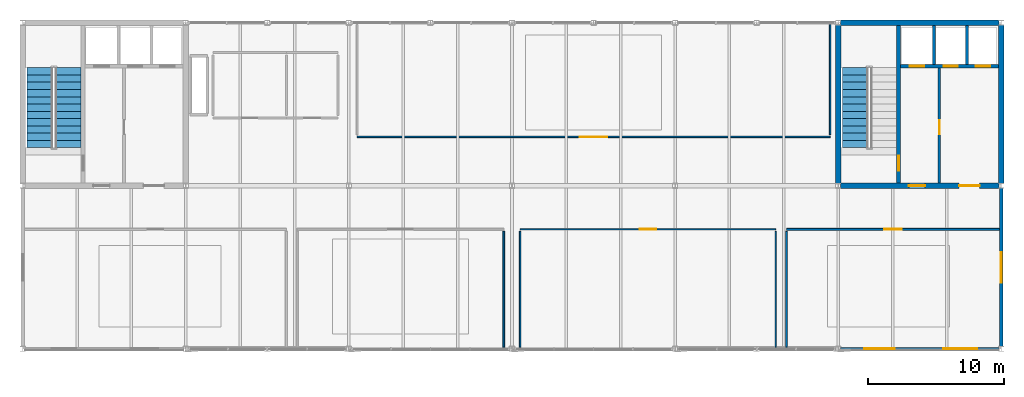
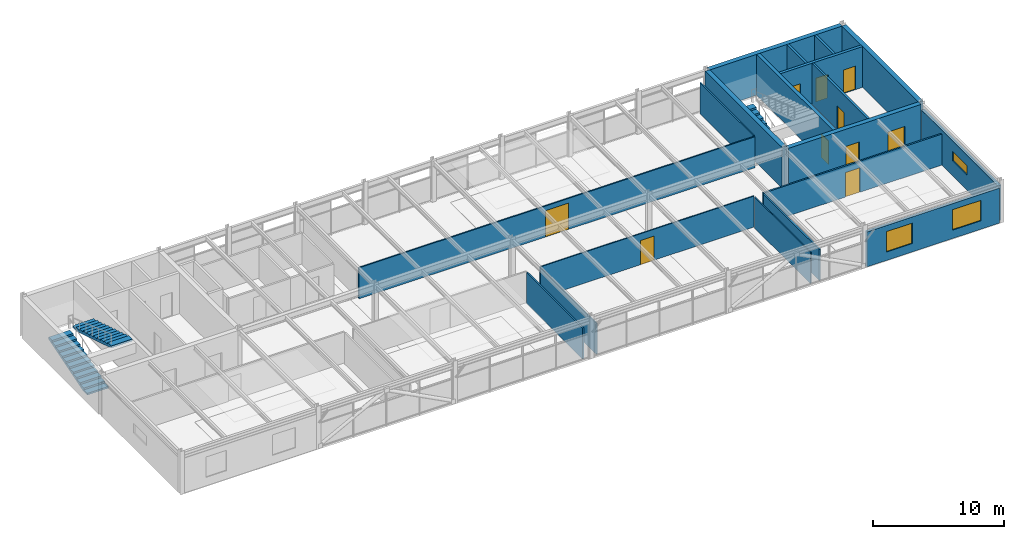
# One storey, part 20 of 23: 19 walls, 10 doors, 3 stair flights, 3 windows, 13 openings, 2 elements without a shape of their own.
"""IFC4 building model written with IfcOpenShell, lengths in metres."""

import ifcopenshell
import ifcopenshell.guid

model = None  # the IFC model being written
_history = None  # IfcOwnerHistory: only IFC2X3 demands one
_inside = {}  # id of a spatial element -> (the spatial element, [elements in it])
_under = {}  # id of a project, library or spatial element -> (it, [spatial elements below it])
_declared = {}  # id of a project -> (the project, [libraries it declares])
_typed = {}  # id of a type object -> (the type object, [elements of that type])
_made_of = {}  # id of a material, layer set ... -> (it, [elements and type objects made of it])


def new_model(schema):
    """Start an empty IFC model of exactly this schema.

    Asked for "IFC4X3", IfcOpenShell would pick the latest addendum, in which some entities
    have other attributes; the version numbers below select the first issue.
    IFC2X3 requires an IfcOwnerHistory on every rooted entity: one is made here for all.
    """
    global model, _history
    if schema == "IFC4X3":
        model = ifcopenshell.file(schema_version=(4, 3, 0, 0))
    else:
        model = ifcopenshell.file(schema=schema)
    _inside.clear()
    _under.clear()
    _declared.clear()
    _typed.clear()
    _made_of.clear()
    _history = None
    if model.schema == "IFC2X3":
        org = make("IfcOrganization", Name="unknown")
        user = make(
            "IfcPersonAndOrganization",
            ThePerson=make("IfcPerson", FamilyName="unknown"),
            TheOrganization=org,
        )
        app = make(
            "IfcApplication",
            ApplicationDeveloper=org,
            Version="unknown",
            ApplicationFullName="unknown",
            ApplicationIdentifier="unknown",
        )
        _history = make(
            "IfcOwnerHistory",
            OwningUser=user,
            OwningApplication=app,
            ChangeAction="ADDED",
            CreationDate=0,
        )
    return model


def make(cls, **values):
    """One entity of the class cls with the attributes given. An attribute that is None is left unset."""
    return model.create_entity(
        cls, **{name: value for name, value in values.items() if value is not None}
    )


def rooted(cls, **values):
    """An entity with a GlobalId (a new one), such as an element, a storey or a relation."""
    return make(cls, GlobalId=ifcopenshell.guid.new(), OwnerHistory=_history, **values)


def si_unit(unit_type, name, prefix=None):
    """IfcSIUnit, for example si_unit("LENGTHUNIT", "METRE", prefix="MILLI")."""
    return make("IfcSIUnit", UnitType=unit_type, Prefix=prefix, Name=name)


def assignment(units):
    """IfcUnitAssignment: the units of a project."""
    return None if units is None else make("IfcUnitAssignment", Units=units)


def point(xyz):
    """IfcCartesianPoint."""
    return None if xyz is None else make("IfcCartesianPoint", Coordinates=xyz)


def direction(xyz):
    """IfcDirection."""
    return None if xyz is None else make("IfcDirection", DirectionRatios=xyz)


def frame(location, z_axis=None, x_axis=None):
    """IfcAxis2Placement3D, a coordinate frame: its origin and axes. An axis left out is left unset."""
    return make(
        "IfcAxis2Placement3D",
        Location=point(location),
        Axis=direction(z_axis),
        RefDirection=direction(x_axis),
    )


def frame_2d(location, x_axis=None):
    """IfcAxis2Placement2D, a coordinate frame in the plane: its origin and x axis."""
    return make(
        "IfcAxis2Placement2D", Location=point(location), RefDirection=direction(x_axis)
    )


def origin():
    """The frame at (0, 0, 0) with its axes left unset."""
    return frame((0.0, 0.0, 0.0))


def place(relative_to, where):
    """IfcLocalPlacement: puts the frame where relative to a parent placement (None: the world)."""
    return make(
        "IfcLocalPlacement", PlacementRelTo=relative_to, RelativePlacement=where
    )


def context(
    kind, dimensions, precision=None, world=None, true_north=None, identifier=None
):
    """IfcGeometricRepresentationContext, for example the 3D "Model" context."""
    return make(
        "IfcGeometricRepresentationContext",
        ContextIdentifier=identifier,
        ContextType=kind,
        CoordinateSpaceDimension=dimensions,
        Precision=precision,
        WorldCoordinateSystem=world,
        TrueNorth=true_north,
    )


def subcontext(parent, identifier, kind, view, scale=None):
    """IfcGeometricRepresentationSubContext, for example "Body" below "Model"."""
    return make(
        "IfcGeometricRepresentationSubContext",
        ContextIdentifier=identifier,
        ContextType=kind,
        ParentContext=parent,
        TargetScale=scale,
        TargetView=view,
    )


def project(units=None, contexts=None):
    """IfcProject with its units and contexts."""
    return rooted(
        "IfcProject",
        Name="project",
        RepresentationContexts=contexts,
        UnitsInContext=assignment(units),
    )


def spatial(cls, under=None, at=None, **own):
    """A site, building, storey or space (cls), placed at a placement, below another one or the project."""
    s = rooted(cls, ObjectPlacement=at, **own)
    if under is not None:
        _under.setdefault(under.id(), (under, []))[1].append(s)
    return s


def polyline(points):
    """IfcPolyline through the points."""
    return make("IfcPolyline", Points=[point(p) for p in points])


def profile(cls, at=None, kind="AREA", **sizes):
    """A parametric profile (cls). Its sizes go by their IFC names, for example OverallWidth=200.0."""
    return make(cls, ProfileType=kind, Position=at, **sizes)


def rectangle(**sizes):
    """IfcRectangleProfileDef."""
    return profile("IfcRectangleProfileDef", **sizes)


def outline(outer, holes=None, kind="AREA"):
    """IfcArbitraryClosedProfileDef: a profile drawn as a closed curve; with holes, ...WithVoids."""
    if holes is None:
        return make("IfcArbitraryClosedProfileDef", ProfileType=kind, OuterCurve=outer)
    return make(
        "IfcArbitraryProfileDefWithVoids",
        ProfileType=kind,
        OuterCurve=outer,
        InnerCurves=holes,
    )


def extrude(swept, where, along, depth):
    """IfcExtrudedAreaSolid: the profile swept, set in the frame where, extruded along a direction by depth."""
    return make(
        "IfcExtrudedAreaSolid",
        SweptArea=swept,
        Position=where,
        ExtrudedDirection=direction(along),
        Depth=depth,
    )


def shape(context_of_items, identifier, shape_type, items):
    """IfcShapeRepresentation: the items that make up one representation, for example the "Body"."""
    return make(
        "IfcShapeRepresentation",
        ContextOfItems=context_of_items,
        RepresentationIdentifier=identifier,
        RepresentationType=shape_type,
        Items=items,
    )


def material(Name=None, Category=None):
    """IfcMaterial."""
    return make("IfcMaterial", Name=Name, Category=Category)


def layer(
    of_material, thickness, ventilated=None, Name=None, Category=None, Priority=None
):
    """IfcMaterialLayer: one layer of a wall or slab, of a material (None: an air gap)."""
    return make(
        "IfcMaterialLayer",
        Material=of_material,
        LayerThickness=thickness,
        IsVentilated=ventilated,
        Name=Name,
        Category=Category,
        Priority=Priority,
    )


def layer_set(layers, Name=None):
    """IfcMaterialLayerSet."""
    return make("IfcMaterialLayerSet", MaterialLayers=layers, LayerSetName=Name)


def made_of(thing, what):
    """Note that an element or type object is made of a material, layer set ...; save() writes the relation."""
    if what is not None:
        _made_of.setdefault(what.id(), (what, []))[1].append(thing)
    return thing


def type_object(cls, material=None, **own):
    """A type object (cls), such as IfcWallType, which elements share."""
    return made_of(rooted(cls, **own), material)


def element(
    cls,
    number,
    at=None,
    inside=None,
    cuts=None,
    type_object=None,
    material=None,
    context=None,
    identifier="Body",
    shape_type=None,
    held_by="IfcProductDefinitionShape",
    body=None,
    shapes=None,
    **own,
):
    """One element of the class cls, such as IfcWall. Its Tag is "e" and its number.

    at: its placement. inside: the storey or other place that contains it. cuts: it is an
    opening in that element (IfcRelVoidsElement). A single representation is given by context,
    identifier, shape_type and body (its items); several are given by shapes. held_by: the class
    of the entity that holds the representations. save() writes the other relations.
    """
    e = rooted(cls, Tag="e%d" % number, ObjectPlacement=at, **own)
    if body is not None:
        shapes = [shape(context, identifier, shape_type, body)]
    if shapes is not None:
        e.Representation = make(held_by, Representations=shapes)
    if inside is not None:
        _inside.setdefault(inside.id(), (inside, []))[1].append(e)
    if cuts is not None:
        rooted(
            "IfcRelVoidsElement", RelatingBuildingElement=cuts, RelatedOpeningElement=e
        )
    if type_object is not None:
        _typed.setdefault(type_object.id(), (type_object, []))[1].append(e)
    return made_of(e, material)


def fill(opening, filler):
    """IfcRelFillsElement: the door or window that sits in an opening."""
    return rooted(
        "IfcRelFillsElement",
        RelatingOpeningElement=opening,
        RelatedBuildingElement=filler,
    )


def aggregate(whole, parts):
    """IfcRelAggregates: a whole, such as a stair, and the parts it consists of."""
    return rooted("IfcRelAggregates", RelatingObject=whole, RelatedObjects=parts)


def save(model, path):
    """Write the relations noted so far, then the file.

    IfcRelAggregates (storeys below a building ...), IfcRelContainedInSpatialStructure (elements
    in a storey), IfcRelDefinesByType, IfcRelAssociatesMaterial and IfcRelDeclares: one each for
    every whole, place, type object, material and project.
    """
    for whole, parts in _under.values():
        aggregate(whole, parts)
    for where, things in _inside.values():
        rooted(
            "IfcRelContainedInSpatialStructure",
            RelatedElements=things,
            RelatingStructure=where,
        )
    for kind, things in _typed.values():
        rooted("IfcRelDefinesByType", RelatedObjects=things, RelatingType=kind)
    for what, things in _made_of.values():
        rooted("IfcRelAssociatesMaterial", RelatedObjects=things, RelatingMaterial=what)
    for by, libraries in _declared.values():
        rooted("IfcRelDeclares", RelatingContext=by, RelatedDefinitions=libraries)
    model.write(path)


model = new_model("IFC4")

# Units and contexts
model_context = context("Model", 3, precision=1e-05, world=origin(), true_north=direction((0.0, 1.0)))
body_context = subcontext(model_context, "Body", "Model", "MODEL_VIEW")
ifc_project = project(units=[si_unit("LENGTHUNIT", "METRE"), si_unit("AREAUNIT", "SQUARE_METRE"), si_unit("VOLUMEUNIT", "CUBIC_METRE"), si_unit("PLANEANGLEUNIT", "RADIAN"), si_unit("MASSUNIT", "GRAM", prefix="KILO")], contexts=[model_context])

# Site, building, storey
site_placement = place(None, origin())
site = spatial("IfcSite", under=ifc_project, at=site_placement, CompositionType="ELEMENT")
building_placement = place(site_placement, origin())
building = spatial("IfcBuilding", under=site, at=building_placement, Name="Girod Span Mobility Hub", CompositionType="ELEMENT")
storey_placement = place(building_placement, frame((0.0, 0.0, 65.60009765625)))
storey = spatial("IfcBuildingStorey", under=building, at=storey_placement, Name="L16", CompositionType="ELEMENT", Elevation=65.60009765625)

# Wall, openings, doors
ifc_material_1 = material(Name="Concrete C40/50", Category="concrete")
ifc_layer_1 = layer(ifc_material_1, 0.39990234375)
ifc_layer_set_1 = layer_set([ifc_layer_1], Name="Concrete C40/50")
wall_type_1 = type_object("IfcWallType", Name="W-CW-400", PredefinedType="SHEAR", material=ifc_layer_set_1)
wall_1_placement = place(storey_placement, frame((108.181396484375, 57.0, 0.0), z_axis=(0.0, 0.0, 1.0), x_axis=(1.0, 0.0, 0.0)))
wall_1 = element("IfcWall", 1, at=wall_1_placement, inside=storey, type_object=wall_type_1, Name="Core C2 Shear Wall S L16", PredefinedType="SHEAR", context=body_context, shape_type="SweptSolid", body=[
    extrude(rectangle(XDim=11.63720703125, YDim=0.39990234375, at=frame_2d((5.818603515625, 0.0))), origin(), (0.0, 0.0, 1.0), 3.79296875),
])
opening_1_placement = place(wall_1_placement, frame((5.01904296875, 0.0, 0.0)))
opening_1 = element("IfcOpeningElement", 2, at=opening_1_placement, cuts=wall_1, Name="Opening D-FL-C2-L16", PredefinedType="OPENING", context=body_context, shape_type="SweptSolid", body=[
    extrude(rectangle(XDim=1.199951171875, YDim=2.199951171875, at=frame_2d((0.60009765625, 1.10009765625))), frame((0.0, 0.21484375, 0.0), z_axis=(0.0, -1.0, 0.0), x_axis=(1.0, 0.0, 0.0)), (0.0, 0.0, 1.0), 0.429931640625),
])
opening_2_placement = place(wall_1_placement, frame((8.718994140625, 0.0, 0.0)))
opening_2 = element("IfcOpeningElement", 3, at=opening_2_placement, cuts=wall_1, Name="Opening D-LB-C2-L16", PredefinedType="OPENING", context=body_context, shape_type="SweptSolid", body=[
    extrude(rectangle(XDim=1.5, YDim=2.25, at=frame_2d((0.75, 1.125))), frame((0.0, 0.21484375, 0.0), z_axis=(0.0, -1.0, 0.0), x_axis=(1.0, 0.0, 0.0)), (0.0, 0.0, 1.0), 0.429931640625),
])
ifc_material_2 = material(Name="Fire-Rated Insulated Hollow Metal Steel", Category="steel")
door_type_1 = type_object("IfcDoorType", Name="DT-FD-03", OperationType="DOUBLE_DOOR_SINGLE_SWING", PredefinedType="DOOR", material=ifc_material_2)
door_1_placement = place(opening_2_placement, origin())
door_1 = element("IfcDoor", 4, at=door_1_placement, inside=storey, type_object=door_type_1, Name="Lift Lobby Entry Door C2 L16", OperationType="DOUBLE_DOOR_SINGLE_SWING", OverallHeight=2.25, OverallWidth=1.5, PredefinedType="DOOR", context=body_context, shape_type="SweptSolid", body=[
    extrude(rectangle(XDim=1.5, YDim=2.25, at=frame_2d((0.75, 1.125))), frame((0.0, 0.02490234375, 0.0), z_axis=(0.0, -1.0, 0.0), x_axis=(1.0, 0.0, 0.0)), (0.0, 0.0, 1.0), 0.050048828125),
])
fill(opening_2, door_1)
ifc_material_3 = material(Name="Fire-Rated Insulated Hollow Metal Steel", Category="steel")
door_type_2 = type_object("IfcDoorType", Name="DT-FD-05", OperationType="NOTDEFINED", PredefinedType="DOOR", material=ifc_material_3)
door_2_placement = place(opening_1_placement, origin())
door_2 = element("IfcDoor", 5, at=door_2_placement, inside=storey, type_object=door_type_2, Name="Firefighting Lobby Entry Door C2 L16", OperationType="SINGLE_SWING_RIGHT", OverallHeight=2.199951171875, OverallWidth=1.199951171875, PredefinedType="DOOR", context=body_context, shape_type="SweptSolid", body=[
    extrude(rectangle(XDim=1.199951171875, YDim=2.199951171875, at=frame_2d((0.60009765625, 1.10009765625))), frame((0.0, 0.02490234375, 0.0), z_axis=(0.0, -1.0, 0.0), x_axis=(1.0, 0.0, 0.0)), (0.0, 0.0, 1.0), 0.050048828125),
])
fill(opening_1, door_2)

# Walls
wall_2_placement = place(storey_placement, frame((108.181396484375, 69.0, 0.0), z_axis=(0.0, 0.0, 1.0), x_axis=(1.0, 0.0, 0.0)))
element("IfcWall", 6, at=wall_2_placement, inside=storey, type_object=wall_type_1, Name="Core C2 Shear Wall N L16", PredefinedType="SHEAR", context=body_context, shape_type="SweptSolid", body=[
    extrude(rectangle(XDim=11.63720703125, YDim=0.39990234375, at=frame_2d((5.818603515625, 0.0))), origin(), (0.0, 0.0, 1.0), 3.79296875),
])
for number, where, z_axis, x_axis, name in (
    (7, (108.0, 57.175048828125, 0.0), (0.0, 0.0, 1.0), (0.0, 1.0, 0.0), "Core C2 Shear Wall W L16"),
    (8, (120.0, 57.175048828125, 0.0), (0.0, 0.0, 1.0), (0.0, 1.0, 0.0), "Core C2 Shear Wall E L16"),
):
    element("IfcWall", number, at=place(storey_placement, frame(where, z_axis=z_axis, x_axis=x_axis)), inside=storey, type_object=wall_type_1, Name=name, PredefinedType="SHEAR", context=body_context, shape_type="SweptSolid", body=[
        extrude(rectangle(XDim=11.64990234375, YDim=0.39990234375, at=frame_2d((5.824951171875, 0.0))), origin(), (0.0, 0.0, 1.0), 3.79296875),
    ])

# Wall, openings, windows
ifc_material_4 = material(Name="Precast Architectural Concrete C40/50", Category="concrete")
ifc_layer_2 = layer(ifc_material_4, 0.235107421875)
ifc_layer_set_2 = layer_set([ifc_layer_2], Name="Precast Architectural Concrete C40/50")
wall_type_2 = type_object("IfcWallType", Name="W-EXT-235", PredefinedType="SOLIDWALL", material=ifc_layer_set_2)
wall_3_placement = place(storey_placement, frame((108.1826171875, 45.0, 0.0), z_axis=(0.0, 0.0, 1.0), x_axis=(1.0, 0.0, 0.0)))
wall_3 = element("IfcWall", 9, at=wall_3_placement, inside=storey, type_object=wall_type_2, Name="Office Insulated Facade Wall S-10 L16", PredefinedType="SOLIDWALL", context=body_context, shape_type="SweptSolid", body=[
    extrude(rectangle(XDim=11.634765625, YDim=0.235107421875, at=frame_2d((5.8173828125, 0.0))), origin(), (0.0, 0.0, 1.0), 3.245849609375),
])
opening_3_placement = place(wall_3_placement, frame((1.719970703125, 0.0, 0.780029296875)))
opening_3 = element("IfcOpeningElement", 10, at=opening_3_placement, cuts=wall_3, Name="Opening W-L16-S9A", PredefinedType="OPENING", context=body_context, shape_type="SweptSolid", body=[
    extrude(rectangle(XDim=2.260009765625, YDim=1.89990234375, at=frame_2d((1.1298828125, 0.949951171875))), frame((0.0, 0.132568359375, 0.0), z_axis=(0.0, -1.0, 0.0), x_axis=(1.0, 0.0, 0.0)), (0.0, 0.0, 1.0), 0.26513671875),
])
opening_4_placement = place(wall_3_placement, frame((7.534912109375, 0.0, 0.780029296875)))
opening_4 = element("IfcOpeningElement", 11, at=opening_4_placement, cuts=wall_3, Name="Opening W-L16-S9B", PredefinedType="OPENING", context=body_context, shape_type="SweptSolid", body=[
    extrude(rectangle(XDim=2.5, YDim=1.89990234375, at=frame_2d((1.25, 0.949951171875))), frame((0.0, 0.132568359375, 0.0), z_axis=(0.0, -1.0, 0.0), x_axis=(1.0, 0.0, 0.0)), (0.0, 0.0, 1.0), 0.26513671875),
])
ifc_material_5 = material(Name="Double Low-E Insulated Glazing", Category="glass")
window_type_1 = type_object("IfcWindowType", Name="WN-42", PartitioningType="DOUBLE_PANEL_VERTICAL", PredefinedType="WINDOW", material=ifc_material_5)
window_1_placement = place(opening_3_placement, origin())
window_1 = element("IfcWindow", 12, at=window_1_placement, inside=storey, type_object=window_type_1, Name="Office Window WN-42", OverallHeight=1.89990234375, OverallWidth=2.260009765625, PartitioningType="DOUBLE_PANEL_VERTICAL", PredefinedType="WINDOW", context=body_context, shape_type="SweptSolid", body=[
    extrude(rectangle(XDim=2.260009765625, YDim=1.89990234375, at=frame_2d((1.1298828125, 0.949951171875))), frame((0.0, 0.030029296875, 0.0), z_axis=(0.0, -1.0, 0.0), x_axis=(1.0, 0.0, 0.0)), (0.0, 0.0, 1.0), 0.06005859375),
])
fill(opening_3, window_1)
ifc_material_6 = material(Name="Double Low-E Insulated Glazing", Category="glass")
window_type_2 = type_object("IfcWindowType", Name="WN-43", PartitioningType="DOUBLE_PANEL_VERTICAL", PredefinedType="WINDOW", material=ifc_material_6)
window_2_placement = place(opening_4_placement, origin())
window_2 = element("IfcWindow", 13, at=window_2_placement, inside=storey, type_object=window_type_2, Name="Office Window WN-43", OverallHeight=1.89990234375, OverallWidth=2.5, PartitioningType="DOUBLE_PANEL_VERTICAL", PredefinedType="WINDOW", context=body_context, shape_type="SweptSolid", body=[
    extrude(rectangle(XDim=2.5, YDim=1.89990234375, at=frame_2d((1.25, 0.949951171875))), frame((0.0, 0.030029296875, 0.0), z_axis=(0.0, -1.0, 0.0), x_axis=(1.0, 0.0, 0.0)), (0.0, 0.0, 1.0), 0.06005859375),
])
fill(opening_4, window_2)

# Wall, opening, window
ifc_material_7 = material(Name="Precast Architectural Concrete C40/50", Category="concrete")
ifc_layer_3 = layer(ifc_material_7, 0.27001953125)
ifc_layer_set_3 = layer_set([ifc_layer_3], Name="Precast Architectural Concrete C40/50")
wall_type_3 = type_object("IfcWallType", Name="W-EXT-270", PredefinedType="SOLIDWALL", material=ifc_layer_set_3)
wall_4_placement = place(storey_placement, frame((120.0, 45.176025390625, 0.0), z_axis=(0.0, 0.0, 1.0), x_axis=(0.0, 1.0, 0.0)))
wall_4 = element("IfcWall", 14, at=wall_4_placement, inside=storey, type_object=wall_type_3, Name="End Facade Insulated Wall E-D L16", PredefinedType="SOLIDWALL", context=body_context, shape_type="SweptSolid", body=[
    extrude(rectangle(XDim=11.64794921875, YDim=0.27001953125, at=frame_2d((5.823974609375, 0.0))), origin(), (0.0, 0.0, 1.0), 3.245849609375),
])
opening_5_placement = place(wall_4_placement, frame((4.698974609375, 0.0, 1.39990234375)))
opening_5 = element("IfcOpeningElement", 15, at=opening_5_placement, cuts=wall_4, Name="Opening W-L16-E3", PredefinedType="OPENING", context=body_context, shape_type="SweptSolid", body=[
    extrude(rectangle(XDim=2.25, YDim=0.8798828125, at=frame_2d((1.125, 0.43994140625))), frame((0.0, 0.14990234375, 0.0), z_axis=(0.0, -1.0, 0.0), x_axis=(1.0, 0.0, 0.0)), (0.0, 0.0, 1.0), 0.300048828125),
])
ifc_material_8 = material(Name="Double Low-E Insulated Glazing", Category="glass")
window_type_3 = type_object("IfcWindowType", Name="WN-45", PartitioningType="DOUBLE_PANEL_VERTICAL", PredefinedType="USERDEFINED", material=ifc_material_8)
window_3_placement = place(opening_5_placement, origin())
window_3 = element("IfcWindow", 16, at=window_3_placement, inside=storey, type_object=window_type_3, Name="End Office Window WN-45", ObjectType="TRANSOM LIGHT", OverallHeight=0.8798828125, OverallWidth=2.25, PartitioningType="DOUBLE_PANEL_VERTICAL", PredefinedType="USERDEFINED", context=body_context, shape_type="SweptSolid", body=[
    extrude(rectangle(XDim=2.25, YDim=0.8798828125, at=frame_2d((1.125, 0.43994140625))), frame((0.0, 0.030029296875, 0.0), z_axis=(0.0, -1.0, 0.0), x_axis=(1.0, 0.0, 0.0)), (0.0, 0.0, 1.0), 0.06005859375),
])
fill(opening_5, window_3)

# Wall, opening, door
ifc_material_9 = material(Name="Concrete C40/50", Category="concrete")
ifc_layer_4 = layer(ifc_material_9, 0.18994140625)
ifc_layer_set_4 = layer_set([ifc_layer_4], Name="Concrete C40/50")
wall_type_4 = type_object("IfcWallType", Name="W-FL-190", PredefinedType="SOLIDWALL", material=ifc_layer_set_4)
wall_5_placement = place(storey_placement, frame((115.449951171875, 57.199951171875, 0.0), z_axis=(0.0, 0.0, 1.0), x_axis=(0.0, 1.0, 0.0)))
wall_5 = element("IfcWall", 17, at=wall_5_placement, inside=storey, type_object=wall_type_4, Name="Core C2 Firefighting Lobby Wall L16", PredefinedType="SOLIDWALL", context=body_context, shape_type="SweptSolid", body=[
    extrude(rectangle(XDim=8.47998046875, YDim=0.18994140625, at=frame_2d((4.239990234375, 0.0))), origin(), (0.0, 0.0, 1.0), 3.782958984375),
])
opening_6_placement = place(wall_5_placement, frame((3.60009765625, 0.0, 0.0)))
opening_6 = element("IfcOpeningElement", 18, at=opening_6_placement, cuts=wall_5, Name="Opening D-FLX-C2-L16", PredefinedType="OPENING", context=body_context, shape_type="SweptSolid", body=[
    extrude(rectangle(XDim=1.0400390625, YDim=2.179931640625, at=frame_2d((0.52001953125, 1.08984375))), frame((0.0, 0.10986328125, 0.0), z_axis=(0.0, -1.0, 0.0), x_axis=(1.0, 0.0, 0.0)), (0.0, 0.0, 1.0), 0.219970703125),
])
ifc_material_10 = material(Name="Fire-Rated Insulated Hollow Metal Steel", Category="steel")
door_type_3 = type_object("IfcDoorType", Name="DT-FD-02", OperationType="NOTDEFINED", PredefinedType="DOOR", material=ifc_material_10)
door_3_placement = place(opening_6_placement, origin())
door_3 = element("IfcDoor", 19, at=door_3_placement, inside=storey, type_object=door_type_3, Name="Firefighting Lobby Interconnect Door C2 L16", OperationType="SINGLE_SWING_RIGHT", OverallHeight=2.179931640625, OverallWidth=1.0400390625, PredefinedType="DOOR", context=body_context, shape_type="SweptSolid", body=[
    extrude(rectangle(XDim=1.0400390625, YDim=2.179931640625, at=frame_2d((0.52001953125, 1.08984375))), frame((0.0, 0.02490234375, 0.0), z_axis=(0.0, -1.0, 0.0), x_axis=(1.0, 0.0, 0.0)), (0.0, 0.0, 1.0), 0.050048828125),
])
fill(opening_6, door_3)

ifc_material_11 = material(Name="Fire-Rated Gypsum Board on Metal Studs", Category="gypsum")
ifc_layer_5 = layer(ifc_material_11, 0.097900390625)
ifc_layer_set_5 = layer_set([ifc_layer_5], Name="Fire-Rated Gypsum Board on Metal Studs")
wall_type_5 = type_object("IfcWallType", Name="W-PT-098", PredefinedType="PARTITIONING", material=ifc_layer_set_5)
wall_6_placement = place(storey_placement, frame((84.60009765625, 53.800048828125, 0.0), z_axis=(0.0, 0.0, 1.0), x_axis=(1.0, 0.0, 0.0)))
wall_6 = element("IfcWall", 20, at=wall_6_placement, inside=storey, type_object=wall_type_5, Name="Planning Studio Crown L16 Partition N", PredefinedType="PARTITIONING", context=body_context, shape_type="SweptSolid", body=[
    extrude(rectangle(XDim=18.7998046875, YDim=0.097900390625, at=frame_2d((9.39990234375, 0.0))), origin(), (0.0, 0.0, 1.0), 2.8798828125),
])
opening_7_placement = place(wall_6_placement, frame((8.794921875, 0.0, 0.0)))
opening_7 = element("IfcOpeningElement", 21, at=opening_7_placement, cuts=wall_6, Name="Opening D-L16-OFF-CE1", PredefinedType="OPENING", context=body_context, shape_type="SweptSolid", body=[
    extrude(rectangle(XDim=1.2099609375, YDim=2.25, at=frame_2d((0.60498046875, 1.125))), frame((0.0, 0.06396484375, 0.0), z_axis=(0.0, -1.0, 0.0), x_axis=(1.0, 0.0, 0.0)), (0.0, 0.0, 1.0), 0.1279296875),
])
ifc_material_12 = material(Name="Solid-Core Architectural Timber", Category="wood")
door_type_4 = type_object("IfcDoorType", Name="DT-NR-08", OperationType="NOTDEFINED", PredefinedType="DOOR", material=ifc_material_12)
door_4_placement = place(opening_7_placement, origin())
door_4 = element("IfcDoor", 22, at=door_4_placement, inside=storey, type_object=door_type_4, Name="Planning Studio Crown L16 Door", OperationType="SINGLE_SWING_RIGHT", OverallHeight=2.25, OverallWidth=1.2099609375, PredefinedType="DOOR", context=body_context, shape_type="SweptSolid", body=[
    extrude(rectangle(XDim=1.2099609375, YDim=2.25, at=frame_2d((0.60498046875, 1.125))), frame((0.0, 0.02490234375, 0.0), z_axis=(0.0, -1.0, 0.0), x_axis=(1.0, 0.0, 0.0)), (0.0, 0.0, 1.0), 0.050048828125),
])
fill(opening_7, door_4)

# Walls
for number, where, z_axis, x_axis, name in (
    (23, (84.60009765625, 45.139892578125, 0.0), (0.0, 0.0, 1.0), (0.0, 1.0, 0.0), "Planning Studio Crown L16 Partition W"),
    (24, (103.39990234375, 45.139892578125, 0.0), (0.0, 0.0, 1.0), (0.0, 1.0, 0.0), "Planning Studio Crown L16 Partition E"),
):
    element("IfcWall", number, at=place(storey_placement, frame(where, z_axis=z_axis, x_axis=x_axis)), inside=storey, type_object=wall_type_5, Name=name, PredefinedType="PARTITIONING", context=body_context, shape_type="SweptSolid", body=[
        extrude(rectangle(XDim=8.5, YDim=0.097900390625, at=frame_2d((4.25, 0.0))), origin(), (0.0, 0.0, 1.0), 2.8798828125),
    ])

# Wall, opening, door
ifc_material_13 = material(Name="Fire-Rated Gypsum Board on Metal Studs", Category="gypsum")
ifc_layer_6 = layer(ifc_material_13, 0.114990234375)
ifc_layer_set_6 = layer_set([ifc_layer_6], Name="Fire-Rated Gypsum Board on Metal Studs")
wall_type_6 = type_object("IfcWallType", Name="W-PT-115", PredefinedType="PARTITIONING", material=ifc_layer_set_6)
wall_7_placement = place(storey_placement, frame((72.60009765625, 60.60009765625, 0.0), z_axis=(0.0, 0.0, 1.0), x_axis=(1.0, 0.0, 0.0)))
wall_7 = element("IfcWall", 25, at=wall_7_placement, inside=storey, type_object=wall_type_6, Name="Executive Studio North L16 Partition S", PredefinedType="PARTITIONING", context=body_context, shape_type="SweptSolid", body=[
    extrude(rectangle(XDim=34.7998046875, YDim=0.114990234375, at=frame_2d((17.39990234375, 0.0))), origin(), (0.0, 0.0, 1.0), 2.8798828125),
])
opening_8_placement = place(wall_7_placement, frame((16.39501953125, 0.0, 0.0)))
opening_8 = element("IfcOpeningElement", 26, at=opening_8_placement, cuts=wall_7, Name="Opening D-L16-OFF-CN", PredefinedType="OPENING", context=body_context, shape_type="SweptSolid", body=[
    extrude(rectangle(XDim=2.010009765625, YDim=2.449951171875, at=frame_2d((1.0048828125, 1.22509765625))), frame((0.0, 0.072509765625, 0.0), z_axis=(0.0, -1.0, 0.0), x_axis=(1.0, 0.0, 0.0)), (0.0, 0.0, 1.0), 0.14501953125),
])
ifc_material_14 = material(Name="Solid-Core Architectural Timber", Category="wood")
door_type_5 = type_object("IfcDoorType", Name="DT-NR-21", OperationType="DOUBLE_DOOR_SINGLE_SWING", PredefinedType="DOOR", material=ifc_material_14)
door_5_placement = place(opening_8_placement, origin())
door_5 = element("IfcDoor", 27, at=door_5_placement, inside=storey, type_object=door_type_5, Name="Executive Studio North L16 Door", OperationType="DOUBLE_DOOR_SINGLE_SWING", OverallHeight=2.449951171875, OverallWidth=2.010009765625, PredefinedType="DOOR", context=body_context, shape_type="SweptSolid", body=[
    extrude(rectangle(XDim=2.010009765625, YDim=2.449951171875, at=frame_2d((1.0048828125, 1.22509765625))), frame((0.0, 0.02490234375, 0.0), z_axis=(0.0, -1.0, 0.0), x_axis=(1.0, 0.0, 0.0)), (0.0, 0.0, 1.0), 0.050048828125),
])
fill(opening_8, door_5)

# Walls
wall_8_placement = place(storey_placement, frame((107.39990234375, 60.760009765625, 0.0), z_axis=(0.0, 0.0, 1.0), x_axis=(0.0, 1.0, 0.0)))
element("IfcWall", 28, at=wall_8_placement, inside=storey, type_object=wall_type_6, Name="Executive Studio North L16 Partition E", PredefinedType="PARTITIONING", context=body_context, shape_type="SweptSolid", body=[
    extrude(rectangle(XDim=8.10009765625, YDim=0.114990234375, at=frame_2d((4.050048828125, 0.0))), origin(), (0.0, 0.0, 1.0), 2.8798828125),
])
ifc_material_15 = material(Name="Fire-Rated Gypsum Board on Metal Studs", Category="gypsum")
ifc_layer_7 = layer(ifc_material_15, 0.125)
ifc_layer_set_7 = layer_set([ifc_layer_7], Name="Fire-Rated Gypsum Board on Metal Studs")
wall_type_7 = type_object("IfcWallType", Name="W-PT-125", PredefinedType="PARTITIONING", material=ifc_layer_set_7)
wall_9_placement = place(storey_placement, frame((83.39990234375, 45.139892578125, 0.0), z_axis=(0.0, 0.0, 1.0), x_axis=(0.0, 1.0, 0.0)))
element("IfcWall", 29, at=wall_9_placement, inside=storey, type_object=wall_type_7, Name="Conference Room South L16 Partition E", PredefinedType="PARTITIONING", context=body_context, shape_type="SweptSolid", body=[
    extrude(rectangle(XDim=8.5, YDim=0.125, at=frame_2d((4.25, 0.0))), origin(), (0.0, 0.0, 1.0), 2.8798828125),
])

# Wall, opening, door
ifc_material_16 = material(Name="Fire-Rated Gypsum Board on Metal Studs", Category="gypsum")
ifc_layer_8 = layer(ifc_material_16, 0.139892578125)
ifc_layer_set_8 = layer_set([ifc_layer_8], Name="Fire-Rated Gypsum Board on Metal Studs")
wall_type_8 = type_object("IfcWallType", Name="W-PT-140", PredefinedType="PARTITIONING", material=ifc_layer_set_8)
wall_10_placement = place(storey_placement, frame((104.199951171875, 53.800048828125, 0.0), z_axis=(0.0, 0.0, 1.0), x_axis=(1.0, 0.0, 0.0)))
wall_10 = element("IfcWall", 30, at=wall_10_placement, inside=storey, type_object=wall_type_8, Name="Office Suite East L16 Partition N", PredefinedType="PARTITIONING", context=body_context, shape_type="SweptSolid", body=[
    extrude(rectangle(XDim=15.66015625, YDim=0.139892578125, at=frame_2d((7.830078125, 0.0))), origin(), (0.0, 0.0, 1.0), 2.8798828125),
])
opening_9_placement = place(wall_10_placement, frame((7.195068359375, 0.0, 0.0)))
opening_9 = element("IfcOpeningElement", 31, at=opening_9_placement, cuts=wall_10, Name="Opening D-L16-OFF-CE2", PredefinedType="OPENING", context=body_context, shape_type="SweptSolid", body=[
    extrude(rectangle(XDim=1.27001953125, YDim=2.27001953125, at=frame_2d((0.635009765625, 1.135009765625))), frame((0.0, 0.0849609375, 0.0), z_axis=(0.0, -1.0, 0.0), x_axis=(1.0, 0.0, 0.0)), (0.0, 0.0, 1.0), 0.169921875),
])
ifc_material_17 = material(Name="Solid-Core Architectural Timber", Category="wood")
door_type_6 = type_object("IfcDoorType", Name="DT-NR-09", OperationType="NOTDEFINED", PredefinedType="DOOR", material=ifc_material_17)
door_6_placement = place(opening_9_placement, origin())
door_6 = element("IfcDoor", 32, at=door_6_placement, inside=storey, type_object=door_type_6, Name="Office Suite East L16 Door", OperationType="SINGLE_SWING_LEFT", OverallHeight=2.27001953125, OverallWidth=1.27001953125, PredefinedType="DOOR", context=body_context, shape_type="SweptSolid", body=[
    extrude(rectangle(XDim=1.27001953125, YDim=2.27001953125, at=frame_2d((0.635009765625, 1.135009765625))), frame((0.0, 0.02490234375, 0.0), z_axis=(0.0, -1.0, 0.0), x_axis=(1.0, 0.0, 0.0)), (0.0, 0.0, 1.0), 0.050048828125),
])
fill(opening_9, door_6)

# Walls
wall_11_placement = place(storey_placement, frame((104.199951171875, 45.139892578125, 0.0), z_axis=(0.0, 0.0, 1.0), x_axis=(0.0, 1.0, 0.0)))
element("IfcWall", 33, at=wall_11_placement, inside=storey, type_object=wall_type_8, Name="Office Suite East L16 Partition W", PredefinedType="PARTITIONING", context=body_context, shape_type="SweptSolid", body=[
    extrude(rectangle(XDim=8.5, YDim=0.139892578125, at=frame_2d((4.25, 0.0))), origin(), (0.0, 0.0, 1.0), 2.8798828125),
])
ifc_material_18 = material(Name="Concrete C40/50", Category="concrete")
ifc_layer_9 = layer(ifc_material_18, 0.199951171875)
ifc_layer_set_9 = layer_set([ifc_layer_9], Name="Concrete C40/50")
wall_type_9 = type_object("IfcWallType", Name="W-SH-200", PredefinedType="SOLIDWALL", material=ifc_layer_set_9)
for number, where, z_axis, x_axis, name in (
    (34, (115.050048828125, 65.919921875, 0.0), (0.0, 0.0, 1.0), (0.0, 1.0, 0.0), "Core C2 Shaft Divider 1 L16"),
    (35, (117.47998046875, 65.919921875, 0.0), (0.0, 0.0, 1.0), (0.0, 1.0, 0.0), "Core C2 Shaft Divider 2 L16"),
):
    element("IfcWall", number, at=place(storey_placement, frame(where, z_axis=z_axis, x_axis=x_axis)), inside=storey, type_object=wall_type_9, Name=name, PredefinedType="SOLIDWALL", context=body_context, shape_type="SweptSolid", body=[
        extrude(rectangle(XDim=2.880126953125, YDim=0.199951171875, at=frame_2d((1.43994140625, 0.0))), origin(), (0.0, 0.0, 1.0), 3.782958984375),
    ])

# Wall, openings, doors
ifc_material_19 = material(Name="Concrete C40/50", Category="concrete")
ifc_layer_10 = layer(ifc_material_19, 0.25)
ifc_layer_set_10 = layer_set([ifc_layer_10], Name="Concrete C40/50")
wall_type_10 = type_object("IfcWallType", Name="W-SH-250", PredefinedType="SOLIDWALL", material=ifc_layer_set_10)
wall_12_placement = place(storey_placement, frame((112.596923828125, 65.800048828125, 0.0), z_axis=(0.0, 0.0, 1.0), x_axis=(1.0, 0.0, 0.0)))
wall_12 = element("IfcWall", 36, at=wall_12_placement, inside=storey, type_object=wall_type_10, Name="Core C2 Hoistway Front Wall L16", PredefinedType="SOLIDWALL", context=body_context, shape_type="SweptSolid", body=[
    extrude(rectangle(XDim=7.2060546875, YDim=0.25, at=frame_2d((3.60302734375, 0.0))), origin(), (0.0, 0.0, 1.0), 3.79296875),
])
opening_10_placement = place(wall_12_placement, frame((0.653076171875, 0.0, 0.0)))
opening_10 = element("IfcOpeningElement", 37, at=opening_10_placement, cuts=wall_12, Name="Opening LD-FL-2-L16", PredefinedType="OPENING", context=body_context, shape_type="SweptSolid", body=[
    extrude(rectangle(XDim=1.10009765625, YDim=2.239990234375, at=frame_2d((0.550048828125, 1.1201171875))), frame((0.0, 0.139892578125, 0.0), z_axis=(0.0, -1.0, 0.0), x_axis=(1.0, 0.0, 0.0)), (0.0, 0.0, 1.0), 0.280029296875),
])
opening_11_placement = place(wall_12_placement, frame((3.153076171875, 0.0, 0.0)))
opening_11 = element("IfcOpeningElement", 38, at=opening_11_placement, cuts=wall_12, Name="Opening LD-LP-3-L16", PredefinedType="OPENING", context=body_context, shape_type="SweptSolid", body=[
    extrude(rectangle(XDim=1.050048828125, YDim=2.199951171875, at=frame_2d((0.52490234375, 1.10009765625))), frame((0.0, 0.139892578125, 0.0), z_axis=(0.0, -1.0, 0.0), x_axis=(1.0, 0.0, 0.0)), (0.0, 0.0, 1.0), 0.280029296875),
])
opening_12_placement = place(wall_12_placement, frame((5.528076171875, 0.0, 0.0)))
opening_12 = element("IfcOpeningElement", 39, at=opening_12_placement, cuts=wall_12, Name="Opening LD-LP-4-L16", PredefinedType="OPENING", context=body_context, shape_type="SweptSolid", body=[
    extrude(rectangle(XDim=1.050048828125, YDim=2.199951171875, at=frame_2d((0.52490234375, 1.10009765625))), frame((0.0, 0.139892578125, 0.0), z_axis=(0.0, -1.0, 0.0), x_axis=(1.0, 0.0, 0.0)), (0.0, 0.0, 1.0), 0.280029296875),
])
ifc_material_20 = material(Name="Brushed Stainless Steel Grade 304", Category="steel")
door_type_7 = type_object("IfcDoorType", Name="LD-FL-110", OperationType="SLIDING_TO_LEFT", PredefinedType="USERDEFINED", material=ifc_material_20)
door_7_placement = place(opening_10_placement, origin())
door_7 = element("IfcDoor", 40, at=door_7_placement, inside=storey, type_object=door_type_7, Name="Lift FL-2 Sliding Landing Door L16", ObjectType="LANDING DOOR", OperationType="SLIDING_TO_LEFT", OverallHeight=2.239990234375, OverallWidth=1.10009765625, PredefinedType="USERDEFINED", context=body_context, shape_type="SweptSolid", body=[
    extrude(rectangle(XDim=1.10009765625, YDim=2.239990234375, at=frame_2d((0.550048828125, 1.1201171875))), frame((0.0, 0.02490234375, 0.0), z_axis=(0.0, -1.0, 0.0), x_axis=(1.0, 0.0, 0.0)), (0.0, 0.0, 1.0), 0.050048828125),
])
fill(opening_10, door_7)
ifc_material_21 = material(Name="Brushed Stainless Steel Grade 304", Category="steel")
door_type_8 = type_object("IfcDoorType", Name="LD-LP-105", OperationType="SLIDING_TO_LEFT", PredefinedType="USERDEFINED", material=ifc_material_21)
door_8_placement = place(opening_11_placement, origin())
door_8 = element("IfcDoor", 41, at=door_8_placement, inside=storey, type_object=door_type_8, Name="Lift LP-3 Sliding Landing Door L16", ObjectType="LANDING DOOR", OperationType="SLIDING_TO_LEFT", OverallHeight=2.199951171875, OverallWidth=1.050048828125, PredefinedType="USERDEFINED", context=body_context, shape_type="SweptSolid", body=[
    extrude(rectangle(XDim=1.050048828125, YDim=2.199951171875, at=frame_2d((0.52490234375, 1.10009765625))), frame((0.0, 0.02490234375, 0.0), z_axis=(0.0, -1.0, 0.0), x_axis=(1.0, 0.0, 0.0)), (0.0, 0.0, 1.0), 0.050048828125),
])
fill(opening_11, door_8)
door_9_placement = place(opening_12_placement, origin())
door_9 = element("IfcDoor", 42, at=door_9_placement, inside=storey, type_object=door_type_8, Name="Lift LP-4 Sliding Landing Door L16", ObjectType="LANDING DOOR", OperationType="SLIDING_TO_LEFT", OverallHeight=2.199951171875, OverallWidth=1.050048828125, PredefinedType="USERDEFINED", context=body_context, shape_type="SweptSolid", body=[
    extrude(rectangle(XDim=1.050048828125, YDim=2.199951171875, at=frame_2d((0.52490234375, 1.10009765625))), frame((0.0, 0.02490234375, 0.0), z_axis=(0.0, -1.0, 0.0), x_axis=(1.0, 0.0, 0.0)), (0.0, 0.0, 1.0), 0.050048828125),
])
fill(opening_12, door_9)

# Wall, opening, door
ifc_material_22 = material(Name="Concrete C40/50", Category="concrete")
ifc_layer_11 = layer(ifc_material_22, 0.300048828125)
ifc_layer_set_11 = layer_set([ifc_layer_11], Name="Concrete C40/50")
wall_type_11 = type_object("IfcWallType", Name="W-SH-300", PredefinedType="SHEAR", material=ifc_layer_set_11)
wall_13_placement = place(storey_placement, frame((112.449951171875, 57.197021484375, 0.0), z_axis=(0.0, 0.0, 1.0), x_axis=(0.0, 1.0, 0.0)))
wall_13 = element("IfcWall", 43, at=wall_13_placement, inside=storey, type_object=wall_type_11, Name="Core C2 Stairwell Spine Wall L16", PredefinedType="SHEAR", context=body_context, shape_type="SweptSolid", body=[
    extrude(rectangle(XDim=11.60595703125, YDim=0.300048828125, at=frame_2d((5.802978515625, 0.0))), origin(), (0.0, 0.0, 1.0), 3.79296875),
])
opening_13_placement = place(wall_13_placement, frame((0.89990234375, 0.0, 0.0)))
opening_13 = element("IfcOpeningElement", 44, at=opening_13_placement, cuts=wall_13, Name="Opening D-ST-2-L16", PredefinedType="OPENING", context=body_context, shape_type="SweptSolid", body=[
    extrude(rectangle(XDim=1.10009765625, YDim=2.199951171875, at=frame_2d((0.550048828125, 1.10009765625))), frame((0.0, 0.1650390625, 0.0), z_axis=(0.0, -1.0, 0.0), x_axis=(1.0, 0.0, 0.0)), (0.0, 0.0, 1.0), 0.330078125),
])
ifc_material_23 = material(Name="Fire-Rated Insulated Hollow Metal Steel", Category="steel")
door_type_9 = type_object("IfcDoorType", Name="DT-FD-01", OperationType="NOTDEFINED", PredefinedType="DOOR", material=ifc_material_23)
door_10_placement = place(opening_13_placement, origin())
door_10 = element("IfcDoor", 45, at=door_10_placement, inside=storey, type_object=door_type_9, Name="Stair ST-2 Fire Door L16", OperationType="SINGLE_SWING_LEFT", OverallHeight=2.199951171875, OverallWidth=1.10009765625, PredefinedType="DOOR", context=body_context, shape_type="SweptSolid", body=[
    extrude(rectangle(XDim=1.10009765625, YDim=2.199951171875, at=frame_2d((0.550048828125, 1.10009765625))), frame((0.0, 0.02490234375, 0.0), z_axis=(0.0, -1.0, 0.0), x_axis=(1.0, 0.0, 0.0)), (0.0, 0.0, 1.0), 0.050048828125),
])
fill(opening_13, door_10)

# Stair, stair flights
ifc_material_24 = material(Name="Concrete C40/50", Category="concrete")
stair_type = type_object("IfcStairType", Name="STR-4000-W1860", PredefinedType="HALF_TURN_STAIR", material=ifc_material_24)
stair_1_placement = place(storey_placement, origin())
stair_1 = element("IfcStair", 46, at=stair_1_placement, inside=storey, type_object=stair_type, Name="Exit Stair ST-1 L16", PredefinedType="HALF_TURN_STAIR")
ifc_material_25 = material(Name="Concrete C40/50", Category="concrete")
stair_flight_type = type_object("IfcStairFlightType", Name="STF-2000-W1860", PredefinedType="STRAIGHT", material=ifc_material_25)
stair_flight_1_placement = place(storey_placement, frame((49.25, 59.81005859375, 0.0), z_axis=(0.0, 0.0, 1.0), x_axis=(0.0, 1.0, 0.0)))
stair_flight_1 = element("IfcStairFlight", 47, at=stair_flight_1_placement, type_object=stair_flight_type, Name="Stair ST-1 Flight 1 L16", NumberOfRisers=12, NumberOfTreads=11, PredefinedType="STRAIGHT", RiserHeight=0.16667, TreadLength=0.53455, context=body_context, shape_type="SweptSolid", body=[
    extrude(outline(polyline([(0.0, 0.0), (0.0, 0.166748046875), (0.53466796875, 0.166748046875), (0.53466796875, 0.333251953125), (1.069091796875, 0.333251953125), (1.069091796875, 0.5), (1.603759765625, 0.5), (1.603759765625, 0.666748046875), (2.13818359375, 0.666748046875), (2.13818359375, 0.833251953125), (2.6728515625, 0.833251953125), (2.6728515625, 1.0), (3.207275390625, 1.0), (3.207275390625, 1.166748046875), (3.741943359375, 1.166748046875), (3.741943359375, 1.333251953125), (4.2763671875, 1.333251953125), (4.2763671875, 1.5), (4.81103515625, 1.5), (4.81103515625, 1.666748046875), (5.345458984375, 1.666748046875), (5.345458984375, 1.833251953125), (5.880126953125, 1.833251953125), (5.880126953125, 2.0), (5.880126953125, 1.634521484375), (0.63818359375, 0.0), (0.0, 0.0)])), frame((0.0, 0.93017578125, 0.0), z_axis=(0.0, -1.0, 0.0), x_axis=(1.0, 0.0, 0.0)), (0.0, 0.0, 1.0), 1.860107421875),
])
stair_flight_2_placement = place(storey_placement, frame((51.35009765625, 65.68994140625, 2.0), z_axis=(0.0, 0.0, 1.0), x_axis=(0.0, -1.0, 0.0)))
stair_flight_2 = element("IfcStairFlight", 48, at=stair_flight_2_placement, type_object=stair_flight_type, Name="Stair ST-1 Flight 2 L16", NumberOfRisers=12, NumberOfTreads=11, PredefinedType="STRAIGHT", RiserHeight=0.16667, TreadLength=0.53455, context=body_context, shape_type="SweptSolid", body=[
    extrude(outline(polyline([(0.0, 0.0), (0.0, 0.166748046875), (0.53466796875, 0.166748046875), (0.53466796875, 0.333251953125), (1.069091796875, 0.333251953125), (1.069091796875, 0.5), (1.603759765625, 0.5), (1.603759765625, 0.666748046875), (2.13818359375, 0.666748046875), (2.13818359375, 0.833251953125), (2.6728515625, 0.833251953125), (2.6728515625, 1.0), (3.207275390625, 1.0), (3.207275390625, 1.166748046875), (3.741943359375, 1.166748046875), (3.741943359375, 1.333251953125), (4.2763671875, 1.333251953125), (4.2763671875, 1.5), (4.81103515625, 1.5), (4.81103515625, 1.666748046875), (5.345458984375, 1.666748046875), (5.345458984375, 1.833251953125), (5.880126953125, 1.833251953125), (5.880126953125, 2.0), (5.880126953125, 1.634521484375), (0.63818359375, 0.0), (0.0, 0.0)])), frame((0.0, 0.93017578125, 0.0), z_axis=(0.0, -1.0, 0.0), x_axis=(1.0, 0.0, 0.0)), (0.0, 0.0, 1.0), 1.860107421875),
])
aggregate(stair_1, [stair_flight_1, stair_flight_2])

# Stair, stair flight
stair_2_placement = place(storey_placement, origin())
stair_2 = element("IfcStair", 49, at=stair_2_placement, inside=storey, type_object=stair_type, Name="Exit Stair ST-2 L16", PredefinedType="HALF_TURN_STAIR")
stair_flight_3_placement = place(storey_placement, frame((109.25, 59.81005859375, 0.0), z_axis=(0.0, 0.0, 1.0), x_axis=(0.0, 1.0, 0.0)))
stair_flight_3 = element("IfcStairFlight", 50, at=stair_flight_3_placement, type_object=stair_flight_type, Name="Stair ST-2 Flight 1 L16", NumberOfRisers=12, NumberOfTreads=11, PredefinedType="STRAIGHT", RiserHeight=0.16667, TreadLength=0.53455, context=body_context, shape_type="SweptSolid", body=[
    extrude(outline(polyline([(0.0, 0.0), (0.0, 0.166748046875), (0.53466796875, 0.166748046875), (0.53466796875, 0.333251953125), (1.069091796875, 0.333251953125), (1.069091796875, 0.5), (1.603759765625, 0.5), (1.603759765625, 0.666748046875), (2.13818359375, 0.666748046875), (2.13818359375, 0.833251953125), (2.6728515625, 0.833251953125), (2.6728515625, 1.0), (3.207275390625, 1.0), (3.207275390625, 1.166748046875), (3.741943359375, 1.166748046875), (3.741943359375, 1.333251953125), (4.2763671875, 1.333251953125), (4.2763671875, 1.5), (4.81103515625, 1.5), (4.81103515625, 1.666748046875), (5.345458984375, 1.666748046875), (5.345458984375, 1.833251953125), (5.880126953125, 1.833251953125), (5.880126953125, 2.0), (5.880126953125, 1.634521484375), (0.63818359375, 0.0), (0.0, 0.0)])), frame((0.0, 0.93017578125, 0.0), z_axis=(0.0, -1.0, 0.0), x_axis=(1.0, 0.0, 0.0)), (0.0, 0.0, 1.0), 1.860107421875),
])
aggregate(stair_2, [stair_flight_3])

save(model, "model.ifc")
